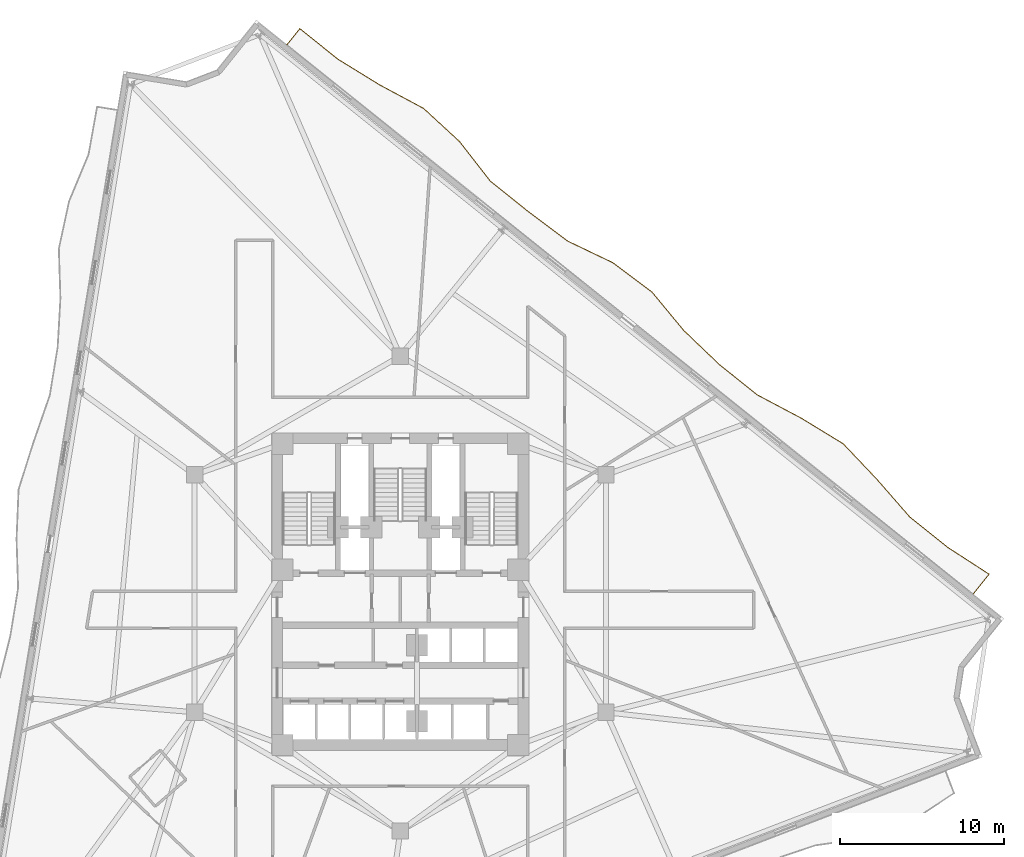
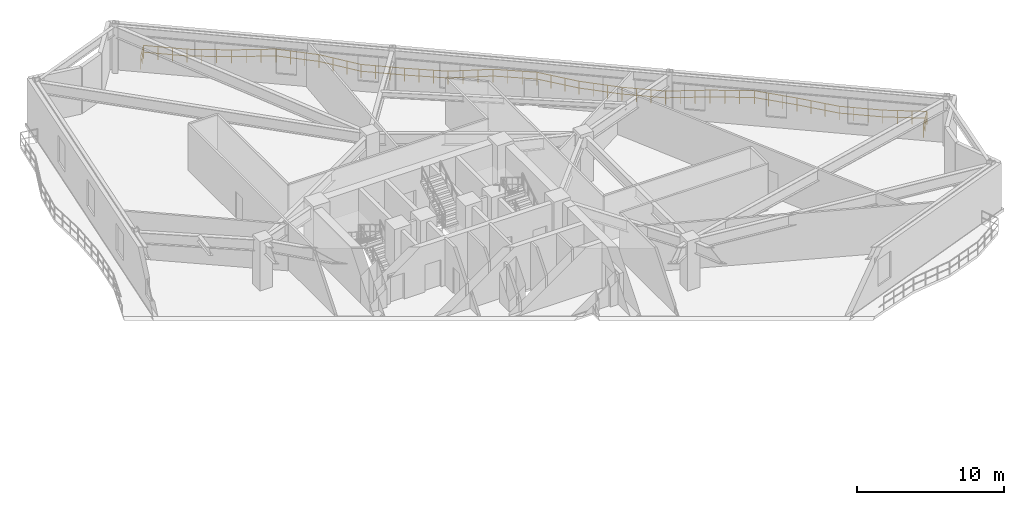
# One storey, part 11 of 11: 1 railing.
"""IFC4 building model written with IfcOpenShell, lengths in metres."""

from ifc_helpers import new_model, si_unit, direction, frame, origin, origin_2d, place, context, subcontext, project, spatial, rectangle, extrude, material, type_object, element, save


model = new_model("IFC4")

# Units and contexts
model_context = context("Model", 3, precision=1e-05, world=origin(), true_north=direction((0.0, 1.0)))
body_context = subcontext(model_context, "Body", "Model", "MODEL_VIEW")
ifc_project = project(units=[si_unit("LENGTHUNIT", "METRE"), si_unit("AREAUNIT", "SQUARE_METRE"), si_unit("VOLUMEUNIT", "CUBIC_METRE"), si_unit("PLANEANGLEUNIT", "RADIAN"), si_unit("MASSUNIT", "GRAM", prefix="KILO")], contexts=[model_context])

# Site, building, storey
site_placement = place(None, origin())
site = spatial("IfcSite", under=ifc_project, at=site_placement, CompositionType="ELEMENT")
building_placement = place(site_placement, origin())
building = spatial("IfcBuilding", under=site, at=building_placement, Name="Apsidion Concourse Tower", CompositionType="ELEMENT")
storey_placement = place(building_placement, frame((0.0, 0.0, 132.199951171875)))
storey = spatial("IfcBuildingStorey", under=building, at=storey_placement, Name="L30", CompositionType="ELEMENT", Elevation=132.199951171875)

# Railing
ifc_material = material(Name="Brushed stainless steel 316", Category="steel")
railing_type = type_object("IfcRailingType", Name="RL-BAL-1120", PredefinedType="BALUSTRADE", material=ifc_material)
railing_placement = place(storey_placement, frame((-6.919189453125, 33.529541015625, 0.0)))
element("IfcRailing", 1, at=railing_placement, inside=storey, type_object=railing_type, Name="L30 Face 3 Rippling Balcony Balustrade", PredefinedType="BALUSTRADE", context=body_context, shape_type="SweptSolid", body=[
    extrude(rectangle(XDim=0.048095703125, YDim=0.048095703125, at=origin_2d()), frame((0.0, 0.0, 1.09619140625), z_axis=(0.624885542847, 0.780716375095, 0.0), x_axis=(-0.780716375095, 0.624885542847, 0.0)), (0.0, 0.0, 1.0), 1.250244140625),
    extrude(rectangle(XDim=0.048095703125, YDim=0.048095703125, at=origin_2d()), frame((0.0, 0.0, 0.5361328125), z_axis=(0.624885542847, 0.780716375095, 0.0), x_axis=(-0.780716375095, 0.624885542847, 0.0)), (0.0, 0.0, 1.0), 1.250244140625),
    extrude(rectangle(XDim=0.048095703125, YDim=0.048095703125, at=origin_2d()), frame((0.78125, 0.97607421875, 1.09619140625), z_axis=(0.780645180678, -0.624974480987, 0.0), x_axis=(0.624974480987, 0.780645180678, 0.0)), (0.0, 0.0, 1.0), 2.98291015625),
    extrude(rectangle(XDim=0.048095703125, YDim=0.048095703125, at=origin_2d()), frame((0.78125, 0.97607421875, 0.5361328125), z_axis=(0.780645180678, -0.624974480987, 0.0), x_axis=(0.624974480987, 0.780645180678, 0.0)), (0.0, 0.0, 1.0), 2.98291015625),
    extrude(rectangle(XDim=0.048095703125, YDim=0.048095703125, at=origin_2d()), frame((3.10986328125, -0.88818359375, 1.09619140625), z_axis=(0.851538377693, -0.524292276613, 0.0), x_axis=(0.524292276613, 0.851538377693, 0.0)), (0.0, 0.0, 1.0), 3.005859375),
    extrude(rectangle(XDim=0.048095703125, YDim=0.048095703125, at=origin_2d()), frame((3.10986328125, -0.88818359375, 0.5361328125), z_axis=(0.851538377693, -0.524292276613, 0.0), x_axis=(0.524292276613, 0.851538377693, 0.0)), (0.0, 0.0, 1.0), 3.005859375),
    extrude(rectangle(XDim=0.048095703125, YDim=0.048095703125, at=origin_2d()), frame((5.66943359375, -2.464111328125, 1.09619140625), z_axis=(0.881520642807, -0.472145482139, 0.0), x_axis=(0.472145482139, 0.881520642807, 0.0)), (0.0, 0.0, 1.0), 3.03369140625),
    extrude(rectangle(XDim=0.048095703125, YDim=0.048095703125, at=origin_2d()), frame((5.66943359375, -2.464111328125, 0.5361328125), z_axis=(0.881520642807, -0.472145482139, 0.0), x_axis=(0.472145482139, 0.881520642807, 0.0)), (0.0, 0.0, 1.0), 3.03369140625),
    extrude(rectangle(XDim=0.048095703125, YDim=0.048095703125, at=origin_2d()), frame((8.34375, -3.896484375, 1.09619140625), z_axis=(0.735341634836, -0.677696598838, 0.0), x_axis=(0.677696598838, 0.735341634836, 0.0)), (0.0, 0.0, 1.0), 2.989990234375),
    extrude(rectangle(XDim=0.048095703125, YDim=0.048095703125, at=origin_2d()), frame((8.34375, -3.896484375, 0.5361328125), z_axis=(0.735341634836, -0.677696598838, 0.0), x_axis=(0.677696598838, 0.735341634836, 0.0)), (0.0, 0.0, 1.0), 2.989990234375),
    extrude(rectangle(XDim=0.048095703125, YDim=0.048095703125, at=origin_2d()), frame((10.54248046875, -5.9228515625, 1.09619140625), z_axis=(0.613626496882, -0.789596430035, 0.0), x_axis=(0.789596430035, 0.613626496882, 0.0)), (0.0, 0.0, 1.0), 3.067626953125),
    extrude(rectangle(XDim=0.048095703125, YDim=0.048095703125, at=origin_2d()), frame((10.54248046875, -5.9228515625, 0.5361328125), z_axis=(0.613626496882, -0.789596430035, 0.0), x_axis=(0.789596430035, 0.613626496882, 0.0)), (0.0, 0.0, 1.0), 3.067626953125),
    extrude(rectangle(XDim=0.048095703125, YDim=0.048095703125, at=origin_2d()), frame((12.4248046875, -8.344970703125, 1.09619140625), z_axis=(0.780645180678, -0.624974480987, 0.0), x_axis=(0.624974480987, 0.780645180678, 0.0)), (0.0, 0.0, 1.0), 2.98291015625),
    extrude(rectangle(XDim=0.048095703125, YDim=0.048095703125, at=origin_2d()), frame((12.4248046875, -8.344970703125, 0.5361328125), z_axis=(0.780645180678, -0.624974480987, 0.0), x_axis=(0.624974480987, 0.780645180678, 0.0)), (0.0, 0.0, 1.0), 2.98291015625),
    extrude(rectangle(XDim=0.048095703125, YDim=0.048095703125, at=origin_2d()), frame((14.75341796875, -10.209228515625, 1.09619140625), z_axis=(0.800392498751, -0.599476311411, 0.0), x_axis=(0.599476311411, 0.800392498751, 0.0)), (0.0, 0.0, 1.0), 2.984375),
    extrude(rectangle(XDim=0.048095703125, YDim=0.048095703125, at=origin_2d()), frame((14.75341796875, -10.209228515625, 0.5361328125), z_axis=(0.800392498751, -0.599476311411, 0.0), x_axis=(0.599476311411, 0.800392498751, 0.0)), (0.0, 0.0, 1.0), 2.984375),
    extrude(rectangle(XDim=0.048095703125, YDim=0.048095703125, at=origin_2d()), frame((17.14208984375, -11.998291015625, 1.09619140625), z_axis=(0.901872328769, -0.43200266504, 0.0), x_axis=(0.43200266504, 0.901872328769, 0.0)), (0.0, 0.0, 1.0), 3.0625),
    extrude(rectangle(XDim=0.048095703125, YDim=0.048095703125, at=origin_2d()), frame((17.14208984375, -11.998291015625, 0.5361328125), z_axis=(0.901872328769, -0.43200266504, 0.0), x_axis=(0.43200266504, 0.901872328769, 0.0)), (0.0, 0.0, 1.0), 3.0625),
    extrude(rectangle(XDim=0.048095703125, YDim=0.048095703125, at=origin_2d()), frame((19.904052734375, -13.3212890625, 1.09619140625), z_axis=(0.800176655311, -0.599764387318, 0.0), x_axis=(0.599764387318, 0.800176655311, 0.0)), (0.0, 0.0, 1.0), 2.984619140625),
    extrude(rectangle(XDim=0.048095703125, YDim=0.048095703125, at=origin_2d()), frame((19.904052734375, -13.3212890625, 0.5361328125), z_axis=(0.800176655311, -0.599764387318, 0.0), x_axis=(0.599764387318, 0.800176655311, 0.0)), (0.0, 0.0, 1.0), 2.984619140625),
    extrude(rectangle(XDim=0.048095703125, YDim=0.048095703125, at=origin_2d()), frame((22.292236328125, -15.111328125, 1.09619140625), z_axis=(0.637326594289, -0.77059380494, 0.0), x_axis=(0.77059380494, 0.637326594289, 0.0)), (0.0, 0.0, 1.0), 3.046630859375),
    extrude(rectangle(XDim=0.048095703125, YDim=0.048095703125, at=origin_2d()), frame((22.292236328125, -15.111328125, 0.5361328125), z_axis=(0.637326594289, -0.77059380494, 0.0), x_axis=(0.77059380494, 0.637326594289, 0.0)), (0.0, 0.0, 1.0), 3.046630859375),
    extrude(rectangle(XDim=0.048095703125, YDim=0.048095703125, at=origin_2d()), frame((24.23388671875, -17.458984375, 1.09619140625), z_axis=(0.722268149369, -0.691613129146, 0.0), x_axis=(0.691613129146, 0.722268149369, 0.0)), (0.0, 0.0, 1.0), 2.99462890625),
    extrude(rectangle(XDim=0.048095703125, YDim=0.048095703125, at=origin_2d()), frame((24.23388671875, -17.458984375, 0.5361328125), z_axis=(0.722268149369, -0.691613129146, 0.0), x_axis=(0.691613129146, 0.722268149369, 0.0)), (0.0, 0.0, 1.0), 2.99462890625),
    extrude(rectangle(XDim=0.048095703125, YDim=0.048095703125, at=origin_2d()), frame((26.396728515625, -19.530029296875, 1.09619140625), z_axis=(0.780677146016, -0.624934551523, 0.0), x_axis=(0.624934551523, 0.780677146016, 0.0)), (0.0, 0.0, 1.0), 2.983154296875),
    extrude(rectangle(XDim=0.048095703125, YDim=0.048095703125, at=origin_2d()), frame((26.396728515625, -19.530029296875, 0.5361328125), z_axis=(0.780677146016, -0.624934551523, 0.0), x_axis=(0.624934551523, 0.780677146016, 0.0)), (0.0, 0.0, 1.0), 2.983154296875),
    extrude(rectangle(XDim=0.048095703125, YDim=0.048095703125, at=origin_2d()), frame((28.7255859375, -21.394287109375, 1.09619140625), z_axis=(0.883899362479, -0.467677150404, 0.0), x_axis=(0.467677150404, 0.883899362479, 0.0)), (0.0, 0.0, 1.0), 3.03662109375),
    extrude(rectangle(XDim=0.048095703125, YDim=0.048095703125, at=origin_2d()), frame((28.7255859375, -21.394287109375, 0.5361328125), z_axis=(0.883899362479, -0.467677150404, 0.0), x_axis=(0.467677150404, 0.883899362479, 0.0)), (0.0, 0.0, 1.0), 3.03662109375),
    extrude(rectangle(XDim=0.048095703125, YDim=0.048095703125, at=origin_2d()), frame((31.40966796875, -22.814453125, 1.09619140625), z_axis=(0.853542602346, -0.521023057053, 0.0), x_axis=(0.521023057053, 0.853542602346, 0.0)), (0.0, 0.0, 1.0), 3.00732421875),
    extrude(rectangle(XDim=0.048095703125, YDim=0.048095703125, at=origin_2d()), frame((31.40966796875, -22.814453125, 0.5361328125), z_axis=(0.853542602346, -0.521023057053, 0.0), x_axis=(0.521023057053, 0.853542602346, 0.0)), (0.0, 0.0, 1.0), 3.00732421875),
    extrude(rectangle(XDim=0.048095703125, YDim=0.048095703125, at=origin_2d()), frame((33.9765625, -24.38134765625, 1.09619140625), z_axis=(0.687546719498, -0.726140143848, 0.0), x_axis=(0.726140143848, 0.687546719498, 0.0)), (0.0, 0.0, 1.0), 3.01123046875),
    extrude(rectangle(XDim=0.048095703125, YDim=0.048095703125, at=origin_2d()), frame((33.9765625, -24.38134765625, 0.5361328125), z_axis=(0.687546719498, -0.726140143848, 0.0), x_axis=(0.726140143848, 0.687546719498, 0.0)), (0.0, 0.0, 1.0), 3.01123046875),
    extrude(rectangle(XDim=0.048095703125, YDim=0.048095703125, at=origin_2d()), frame((36.046875, -26.56787109375, 1.09619140625), z_axis=(0.657683043181, -0.75329477279, 0.0), x_axis=(0.75329477279, 0.657683043181, 0.0)), (0.0, 0.0, 1.0), 3.031005859375),
    extrude(rectangle(XDim=0.048095703125, YDim=0.048095703125, at=origin_2d()), frame((36.046875, -26.56787109375, 0.5361328125), z_axis=(0.657683043181, -0.75329477279, 0.0), x_axis=(0.75329477279, 0.657683043181, 0.0)), (0.0, 0.0, 1.0), 3.031005859375),
    extrude(rectangle(XDim=0.048095703125, YDim=0.048095703125, at=origin_2d()), frame((38.040283203125, -28.85107421875, 1.09619140625), z_axis=(0.780645180678, -0.624974480987, 0.0), x_axis=(0.624974480987, 0.780645180678, 0.0)), (0.0, 0.0, 1.0), 2.98291015625),
    extrude(rectangle(XDim=0.048095703125, YDim=0.048095703125, at=origin_2d()), frame((38.040283203125, -28.85107421875, 0.5361328125), z_axis=(0.780645180678, -0.624974480987, 0.0), x_axis=(0.624974480987, 0.780645180678, 0.0)), (0.0, 0.0, 1.0), 2.98291015625),
    extrude(rectangle(XDim=0.048095703125, YDim=0.048095703125, at=origin_2d()), frame((40.368896484375, -30.71533203125, 1.09619140625), z_axis=(0.839318820091, -0.543639511296, 0.0), x_axis=(0.543639511296, 0.839318820091, 0.0)), (0.0, 0.0, 1.0), 2.998046875),
    extrude(rectangle(XDim=0.048095703125, YDim=0.048095703125, at=origin_2d()), frame((40.368896484375, -30.71533203125, 0.5361328125), z_axis=(0.839318820091, -0.543639511296, 0.0), x_axis=(0.543639511296, 0.839318820091, 0.0)), (0.0, 0.0, 1.0), 2.998046875),
    extrude(rectangle(XDim=0.048095703125, YDim=0.048095703125, at=origin_2d()), frame((42.88525390625, -32.34521484375, 1.09619140625), z_axis=(-0.625002337061, -0.780622878648, 0.0), x_axis=(0.780622878648, -0.625002337061, 0.0)), (0.0, 0.0, 1.0), 1.550048828125),
    extrude(rectangle(XDim=0.048095703125, YDim=0.048095703125, at=origin_2d()), frame((42.88525390625, -32.34521484375, 0.5361328125), z_axis=(-0.625002337061, -0.780622878648, 0.0), x_axis=(0.780622878648, -0.625002337061, 0.0)), (0.0, 0.0, 1.0), 1.550048828125),
    extrude(rectangle(XDim=0.0419921875, YDim=0.0419921875, at=origin_2d()), origin(), (0.0, 0.0, 1.0), 1.072021484375),
    extrude(rectangle(XDim=0.0419921875, YDim=0.0419921875, at=origin_2d()), frame((0.390625, 0.488037109375, 0.0)), (0.0, 0.0, 1.0), 1.072021484375),
    extrude(rectangle(XDim=0.0419921875, YDim=0.0419921875, at=origin_2d()), frame((0.78125, 0.97607421875, 0.0)), (0.0, 0.0, 1.0), 1.072021484375),
    extrude(rectangle(XDim=0.0419921875, YDim=0.0419921875, at=origin_2d()), frame((1.557373046875, 0.354736328125, 0.0)), (0.0, 0.0, 1.0), 1.072021484375),
    extrude(rectangle(XDim=0.0419921875, YDim=0.0419921875, at=origin_2d()), frame((2.333740234375, -0.266845703125, 0.0)), (0.0, 0.0, 1.0), 1.072021484375),
    extrude(rectangle(XDim=0.0419921875, YDim=0.0419921875, at=origin_2d()), frame((3.10986328125, -0.88818359375, 0.0)), (0.0, 0.0, 1.0), 1.072021484375),
    extrude(rectangle(XDim=0.0419921875, YDim=0.0419921875, at=origin_2d()), frame((3.963134765625, -1.41357421875, 0.0)), (0.0, 0.0, 1.0), 1.072021484375),
    extrude(rectangle(XDim=0.0419921875, YDim=0.0419921875, at=origin_2d()), frame((4.816162109375, -1.938720703125, 0.0)), (0.0, 0.0, 1.0), 1.072021484375),
    extrude(rectangle(XDim=0.0419921875, YDim=0.0419921875, at=origin_2d()), frame((5.66943359375, -2.464111328125, 0.0)), (0.0, 0.0, 1.0), 1.072021484375),
    extrude(rectangle(XDim=0.0419921875, YDim=0.0419921875, at=origin_2d()), frame((6.560791015625, -2.941650390625, 0.0)), (0.0, 0.0, 1.0), 1.072021484375),
    extrude(rectangle(XDim=0.0419921875, YDim=0.0419921875, at=origin_2d()), frame((7.452392578125, -3.4189453125, 0.0)), (0.0, 0.0, 1.0), 1.072021484375),
    extrude(rectangle(XDim=0.0419921875, YDim=0.0419921875, at=origin_2d()), frame((8.34375, -3.896484375, 0.0)), (0.0, 0.0, 1.0), 1.072021484375),
    extrude(rectangle(XDim=0.0419921875, YDim=0.0419921875, at=origin_2d()), frame((9.07666015625, -4.572021484375, 0.0)), (0.0, 0.0, 1.0), 1.072021484375),
    extrude(rectangle(XDim=0.0419921875, YDim=0.0419921875, at=origin_2d()), frame((9.8095703125, -5.247314453125, 0.0)), (0.0, 0.0, 1.0), 1.072021484375),
    extrude(rectangle(XDim=0.0419921875, YDim=0.0419921875, at=origin_2d()), frame((10.54248046875, -5.9228515625, 0.0)), (0.0, 0.0, 1.0), 1.072021484375),
    extrude(rectangle(XDim=0.0419921875, YDim=0.0419921875, at=origin_2d()), frame((11.169921875, -6.730224609375, 0.0)), (0.0, 0.0, 1.0), 1.072021484375),
    extrude(rectangle(XDim=0.0419921875, YDim=0.0419921875, at=origin_2d()), frame((11.79736328125, -7.53759765625, 0.0)), (0.0, 0.0, 1.0), 1.072021484375),
    extrude(rectangle(XDim=0.0419921875, YDim=0.0419921875, at=origin_2d()), frame((12.4248046875, -8.344970703125, 0.0)), (0.0, 0.0, 1.0), 1.072021484375),
    extrude(rectangle(XDim=0.0419921875, YDim=0.0419921875, at=origin_2d()), frame((13.200927734375, -8.96630859375, 0.0)), (0.0, 0.0, 1.0), 1.072021484375),
    extrude(rectangle(XDim=0.0419921875, YDim=0.0419921875, at=origin_2d()), frame((13.977294921875, -9.587890625, 0.0)), (0.0, 0.0, 1.0), 1.072021484375),
    extrude(rectangle(XDim=0.0419921875, YDim=0.0419921875, at=origin_2d()), frame((14.75341796875, -10.209228515625, 0.0)), (0.0, 0.0, 1.0), 1.072021484375),
    extrude(rectangle(XDim=0.0419921875, YDim=0.0419921875, at=origin_2d()), frame((15.549560546875, -10.8056640625, 0.0)), (0.0, 0.0, 1.0), 1.072021484375),
    extrude(rectangle(XDim=0.0419921875, YDim=0.0419921875, at=origin_2d()), frame((16.345947265625, -11.40185546875, 0.0)), (0.0, 0.0, 1.0), 1.072021484375),
    extrude(rectangle(XDim=0.0419921875, YDim=0.0419921875, at=origin_2d()), frame((17.14208984375, -11.998291015625, 0.0)), (0.0, 0.0, 1.0), 1.072021484375),
    extrude(rectangle(XDim=0.0419921875, YDim=0.0419921875, at=origin_2d()), frame((18.062744140625, -12.439208984375, 0.0)), (0.0, 0.0, 1.0), 1.072021484375),
    extrude(rectangle(XDim=0.0419921875, YDim=0.0419921875, at=origin_2d()), frame((18.9833984375, -12.88037109375, 0.0)), (0.0, 0.0, 1.0), 1.072021484375),
    extrude(rectangle(XDim=0.0419921875, YDim=0.0419921875, at=origin_2d()), frame((19.904052734375, -13.3212890625, 0.0)), (0.0, 0.0, 1.0), 1.072021484375),
    extrude(rectangle(XDim=0.0419921875, YDim=0.0419921875, at=origin_2d()), frame((20.7001953125, -13.91796875, 0.0)), (0.0, 0.0, 1.0), 1.072021484375),
    extrude(rectangle(XDim=0.0419921875, YDim=0.0419921875, at=origin_2d()), frame((21.49609375, -14.5146484375, 0.0)), (0.0, 0.0, 1.0), 1.072021484375),
    extrude(rectangle(XDim=0.0419921875, YDim=0.0419921875, at=origin_2d()), frame((22.292236328125, -15.111328125, 0.0)), (0.0, 0.0, 1.0), 1.072021484375),
    extrude(rectangle(XDim=0.0419921875, YDim=0.0419921875, at=origin_2d()), frame((22.939453125, -15.893798828125, 0.0)), (0.0, 0.0, 1.0), 1.072021484375),
    extrude(rectangle(XDim=0.0419921875, YDim=0.0419921875, at=origin_2d()), frame((23.586669921875, -16.676513671875, 0.0)), (0.0, 0.0, 1.0), 1.072021484375),
    extrude(rectangle(XDim=0.0419921875, YDim=0.0419921875, at=origin_2d()), frame((24.23388671875, -17.458984375, 0.0)), (0.0, 0.0, 1.0), 1.072021484375),
    extrude(rectangle(XDim=0.0419921875, YDim=0.0419921875, at=origin_2d()), frame((24.954833984375, -18.1494140625, 0.0)), (0.0, 0.0, 1.0), 1.072021484375),
    extrude(rectangle(XDim=0.0419921875, YDim=0.0419921875, at=origin_2d()), frame((25.67578125, -18.839599609375, 0.0)), (0.0, 0.0, 1.0), 1.072021484375),
    extrude(rectangle(XDim=0.0419921875, YDim=0.0419921875, at=origin_2d()), frame((26.396728515625, -19.530029296875, 0.0)), (0.0, 0.0, 1.0), 1.072021484375),
    extrude(rectangle(XDim=0.0419921875, YDim=0.0419921875, at=origin_2d()), frame((27.173095703125, -20.1513671875, 0.0)), (0.0, 0.0, 1.0), 1.072021484375),
    extrude(rectangle(XDim=0.0419921875, YDim=0.0419921875, at=origin_2d()), frame((27.94921875, -20.77294921875, 0.0)), (0.0, 0.0, 1.0), 1.072021484375),
    extrude(rectangle(XDim=0.0419921875, YDim=0.0419921875, at=origin_2d()), frame((28.7255859375, -21.394287109375, 0.0)), (0.0, 0.0, 1.0), 1.072021484375),
    extrude(rectangle(XDim=0.0419921875, YDim=0.0419921875, at=origin_2d()), frame((29.620361328125, -21.86767578125, 0.0)), (0.0, 0.0, 1.0), 1.072021484375),
    extrude(rectangle(XDim=0.0419921875, YDim=0.0419921875, at=origin_2d()), frame((30.514892578125, -22.341064453125, 0.0)), (0.0, 0.0, 1.0), 1.072021484375),
    extrude(rectangle(XDim=0.0419921875, YDim=0.0419921875, at=origin_2d()), frame((31.40966796875, -22.814453125, 0.0)), (0.0, 0.0, 1.0), 1.072021484375),
    extrude(rectangle(XDim=0.0419921875, YDim=0.0419921875, at=origin_2d()), frame((32.265380859375, -23.336669921875, 0.0)), (0.0, 0.0, 1.0), 1.072021484375),
    extrude(rectangle(XDim=0.0419921875, YDim=0.0419921875, at=origin_2d()), frame((33.120849609375, -23.859130859375, 0.0)), (0.0, 0.0, 1.0), 1.072021484375),
    extrude(rectangle(XDim=0.0419921875, YDim=0.0419921875, at=origin_2d()), frame((33.9765625, -24.38134765625, 0.0)), (0.0, 0.0, 1.0), 1.072021484375),
    extrude(rectangle(XDim=0.0419921875, YDim=0.0419921875, at=origin_2d()), frame((34.666748046875, -25.110107421875, 0.0)), (0.0, 0.0, 1.0), 1.072021484375),
    extrude(rectangle(XDim=0.0419921875, YDim=0.0419921875, at=origin_2d()), frame((35.356689453125, -25.839111328125, 0.0)), (0.0, 0.0, 1.0), 1.072021484375),
    extrude(rectangle(XDim=0.0419921875, YDim=0.0419921875, at=origin_2d()), frame((36.046875, -26.56787109375, 0.0)), (0.0, 0.0, 1.0), 1.072021484375),
    extrude(rectangle(XDim=0.0419921875, YDim=0.0419921875, at=origin_2d()), frame((36.71142578125, -27.328857421875, 0.0)), (0.0, 0.0, 1.0), 1.072021484375),
    extrude(rectangle(XDim=0.0419921875, YDim=0.0419921875, at=origin_2d()), frame((37.375732421875, -28.090087890625, 0.0)), (0.0, 0.0, 1.0), 1.072021484375),
    extrude(rectangle(XDim=0.0419921875, YDim=0.0419921875, at=origin_2d()), frame((38.040283203125, -28.85107421875, 0.0)), (0.0, 0.0, 1.0), 1.072021484375),
    extrude(rectangle(XDim=0.0419921875, YDim=0.0419921875, at=origin_2d()), frame((38.81640625, -29.472412109375, 0.0)), (0.0, 0.0, 1.0), 1.072021484375),
    extrude(rectangle(XDim=0.0419921875, YDim=0.0419921875, at=origin_2d()), frame((39.5927734375, -30.093994140625, 0.0)), (0.0, 0.0, 1.0), 1.072021484375),
    extrude(rectangle(XDim=0.0419921875, YDim=0.0419921875, at=origin_2d()), frame((40.368896484375, -30.71533203125, 0.0)), (0.0, 0.0, 1.0), 1.072021484375),
    extrude(rectangle(XDim=0.0419921875, YDim=0.0419921875, at=origin_2d()), frame((41.207763671875, -31.258544921875, 0.0)), (0.0, 0.0, 1.0), 1.072021484375),
    extrude(rectangle(XDim=0.0419921875, YDim=0.0419921875, at=origin_2d()), frame((42.04638671875, -31.802001953125, 0.0)), (0.0, 0.0, 1.0), 1.072021484375),
    extrude(rectangle(XDim=0.0419921875, YDim=0.0419921875, at=origin_2d()), frame((42.88525390625, -32.34521484375, 0.0)), (0.0, 0.0, 1.0), 1.072021484375),
    extrude(rectangle(XDim=0.0419921875, YDim=0.0419921875, at=origin_2d()), frame((42.40087890625, -32.9501953125, 0.0)), (0.0, 0.0, 1.0), 1.072021484375),
    extrude(rectangle(XDim=0.0419921875, YDim=0.0419921875, at=origin_2d()), frame((41.91650390625, -33.55517578125, 0.0)), (0.0, 0.0, 1.0), 1.072021484375),
])

save(model, "model.ifc")
